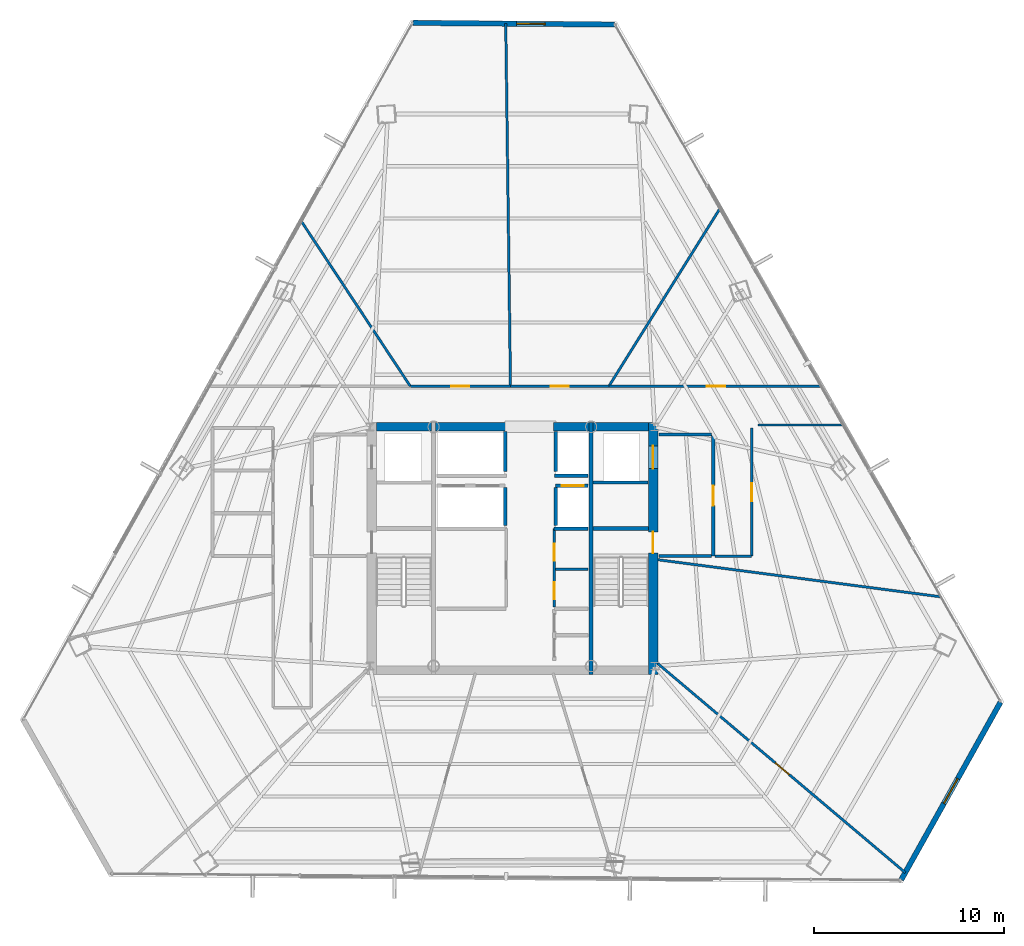
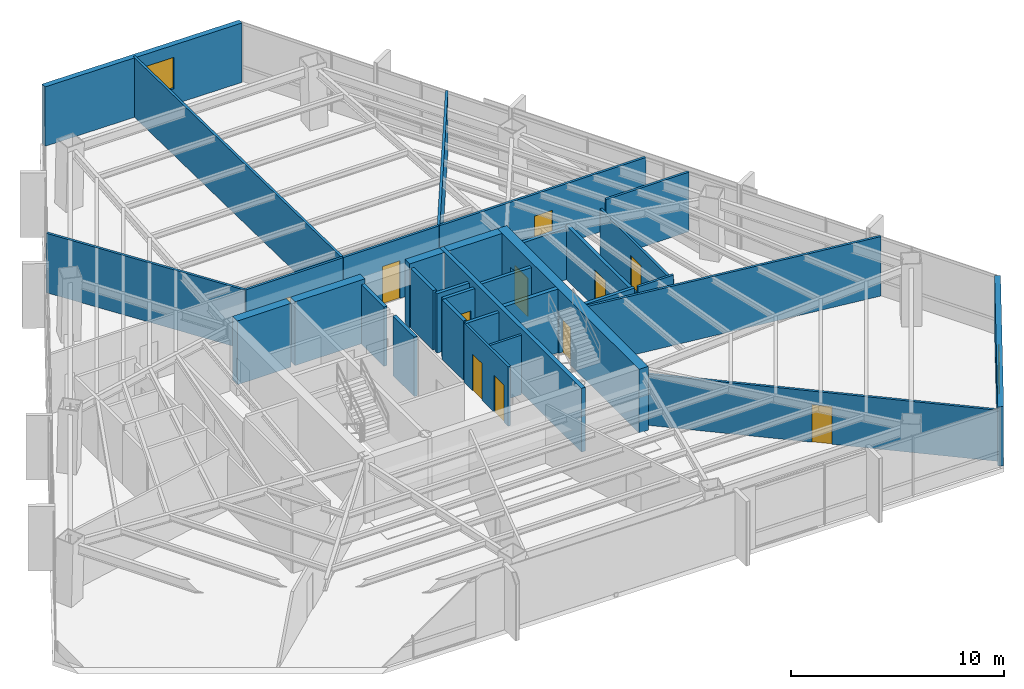
# One storey, part 35 of 39: 33 walls, 11 doors, 2 windows, 13 openings.
"""IFC4 building model written with IfcOpenShell, lengths in metres."""

import ifcopenshell
import ifcopenshell.guid

model = None  # the IFC model being written
_history = None  # IfcOwnerHistory: only IFC2X3 demands one
_inside = {}  # id of a spatial element -> (the spatial element, [elements in it])
_under = {}  # id of a project, library or spatial element -> (it, [spatial elements below it])
_declared = {}  # id of a project -> (the project, [libraries it declares])
_typed = {}  # id of a type object -> (the type object, [elements of that type])
_made_of = {}  # id of a material, layer set ... -> (it, [elements and type objects made of it])


def new_model(schema):
    """Start an empty IFC model of exactly this schema.

    Asked for "IFC4X3", IfcOpenShell would pick the latest addendum, in which some entities
    have other attributes; the version numbers below select the first issue.
    IFC2X3 requires an IfcOwnerHistory on every rooted entity: one is made here for all.
    """
    global model, _history
    if schema == "IFC4X3":
        model = ifcopenshell.file(schema_version=(4, 3, 0, 0))
    else:
        model = ifcopenshell.file(schema=schema)
    _inside.clear()
    _under.clear()
    _declared.clear()
    _typed.clear()
    _made_of.clear()
    _history = None
    if model.schema == "IFC2X3":
        org = make("IfcOrganization", Name="unknown")
        user = make(
            "IfcPersonAndOrganization",
            ThePerson=make("IfcPerson", FamilyName="unknown"),
            TheOrganization=org,
        )
        app = make(
            "IfcApplication",
            ApplicationDeveloper=org,
            Version="unknown",
            ApplicationFullName="unknown",
            ApplicationIdentifier="unknown",
        )
        _history = make(
            "IfcOwnerHistory",
            OwningUser=user,
            OwningApplication=app,
            ChangeAction="ADDED",
            CreationDate=0,
        )
    return model


def make(cls, **values):
    """One entity of the class cls with the attributes given. An attribute that is None is left unset."""
    return model.create_entity(
        cls, **{name: value for name, value in values.items() if value is not None}
    )


def rooted(cls, **values):
    """An entity with a GlobalId (a new one), such as an element, a storey or a relation."""
    return make(cls, GlobalId=ifcopenshell.guid.new(), OwnerHistory=_history, **values)


def si_unit(unit_type, name, prefix=None):
    """IfcSIUnit, for example si_unit("LENGTHUNIT", "METRE", prefix="MILLI")."""
    return make("IfcSIUnit", UnitType=unit_type, Prefix=prefix, Name=name)


def assignment(units):
    """IfcUnitAssignment: the units of a project."""
    return None if units is None else make("IfcUnitAssignment", Units=units)


def point(xyz):
    """IfcCartesianPoint."""
    return None if xyz is None else make("IfcCartesianPoint", Coordinates=xyz)


def direction(xyz):
    """IfcDirection."""
    return None if xyz is None else make("IfcDirection", DirectionRatios=xyz)


def frame(location, z_axis=None, x_axis=None):
    """IfcAxis2Placement3D, a coordinate frame: its origin and axes. An axis left out is left unset."""
    return make(
        "IfcAxis2Placement3D",
        Location=point(location),
        Axis=direction(z_axis),
        RefDirection=direction(x_axis),
    )


def frame_2d(location, x_axis=None):
    """IfcAxis2Placement2D, a coordinate frame in the plane: its origin and x axis."""
    return make(
        "IfcAxis2Placement2D", Location=point(location), RefDirection=direction(x_axis)
    )


def origin():
    """The frame at (0, 0, 0) with its axes left unset."""
    return frame((0.0, 0.0, 0.0))


def place(relative_to, where):
    """IfcLocalPlacement: puts the frame where relative to a parent placement (None: the world)."""
    return make(
        "IfcLocalPlacement", PlacementRelTo=relative_to, RelativePlacement=where
    )


def context(
    kind, dimensions, precision=None, world=None, true_north=None, identifier=None
):
    """IfcGeometricRepresentationContext, for example the 3D "Model" context."""
    return make(
        "IfcGeometricRepresentationContext",
        ContextIdentifier=identifier,
        ContextType=kind,
        CoordinateSpaceDimension=dimensions,
        Precision=precision,
        WorldCoordinateSystem=world,
        TrueNorth=true_north,
    )


def subcontext(parent, identifier, kind, view, scale=None):
    """IfcGeometricRepresentationSubContext, for example "Body" below "Model"."""
    return make(
        "IfcGeometricRepresentationSubContext",
        ContextIdentifier=identifier,
        ContextType=kind,
        ParentContext=parent,
        TargetScale=scale,
        TargetView=view,
    )


def project(units=None, contexts=None):
    """IfcProject with its units and contexts."""
    return rooted(
        "IfcProject",
        Name="project",
        RepresentationContexts=contexts,
        UnitsInContext=assignment(units),
    )


def spatial(cls, under=None, at=None, **own):
    """A site, building, storey or space (cls), placed at a placement, below another one or the project."""
    s = rooted(cls, ObjectPlacement=at, **own)
    if under is not None:
        _under.setdefault(under.id(), (under, []))[1].append(s)
    return s


def profile(cls, at=None, kind="AREA", **sizes):
    """A parametric profile (cls). Its sizes go by their IFC names, for example OverallWidth=200.0."""
    return make(cls, ProfileType=kind, Position=at, **sizes)


def rectangle(**sizes):
    """IfcRectangleProfileDef."""
    return profile("IfcRectangleProfileDef", **sizes)


def extrude(swept, where, along, depth):
    """IfcExtrudedAreaSolid: the profile swept, set in the frame where, extruded along a direction by depth."""
    return make(
        "IfcExtrudedAreaSolid",
        SweptArea=swept,
        Position=where,
        ExtrudedDirection=direction(along),
        Depth=depth,
    )


def shape(context_of_items, identifier, shape_type, items):
    """IfcShapeRepresentation: the items that make up one representation, for example the "Body"."""
    return make(
        "IfcShapeRepresentation",
        ContextOfItems=context_of_items,
        RepresentationIdentifier=identifier,
        RepresentationType=shape_type,
        Items=items,
    )


def material(Name=None, Category=None):
    """IfcMaterial."""
    return make("IfcMaterial", Name=Name, Category=Category)


def layer(
    of_material, thickness, ventilated=None, Name=None, Category=None, Priority=None
):
    """IfcMaterialLayer: one layer of a wall or slab, of a material (None: an air gap)."""
    return make(
        "IfcMaterialLayer",
        Material=of_material,
        LayerThickness=thickness,
        IsVentilated=ventilated,
        Name=Name,
        Category=Category,
        Priority=Priority,
    )


def layer_set(layers, Name=None):
    """IfcMaterialLayerSet."""
    return make("IfcMaterialLayerSet", MaterialLayers=layers, LayerSetName=Name)


def made_of(thing, what):
    """Note that an element or type object is made of a material, layer set ...; save() writes the relation."""
    if what is not None:
        _made_of.setdefault(what.id(), (what, []))[1].append(thing)
    return thing


def type_object(cls, material=None, **own):
    """A type object (cls), such as IfcWallType, which elements share."""
    return made_of(rooted(cls, **own), material)


def element(
    cls,
    number,
    at=None,
    inside=None,
    cuts=None,
    type_object=None,
    material=None,
    context=None,
    identifier="Body",
    shape_type=None,
    held_by="IfcProductDefinitionShape",
    body=None,
    shapes=None,
    **own,
):
    """One element of the class cls, such as IfcWall. Its Tag is "e" and its number.

    at: its placement. inside: the storey or other place that contains it. cuts: it is an
    opening in that element (IfcRelVoidsElement). A single representation is given by context,
    identifier, shape_type and body (its items); several are given by shapes. held_by: the class
    of the entity that holds the representations. save() writes the other relations.
    """
    e = rooted(cls, Tag="e%d" % number, ObjectPlacement=at, **own)
    if body is not None:
        shapes = [shape(context, identifier, shape_type, body)]
    if shapes is not None:
        e.Representation = make(held_by, Representations=shapes)
    if inside is not None:
        _inside.setdefault(inside.id(), (inside, []))[1].append(e)
    if cuts is not None:
        rooted(
            "IfcRelVoidsElement", RelatingBuildingElement=cuts, RelatedOpeningElement=e
        )
    if type_object is not None:
        _typed.setdefault(type_object.id(), (type_object, []))[1].append(e)
    return made_of(e, material)


def fill(opening, filler):
    """IfcRelFillsElement: the door or window that sits in an opening."""
    return rooted(
        "IfcRelFillsElement",
        RelatingOpeningElement=opening,
        RelatedBuildingElement=filler,
    )


def aggregate(whole, parts):
    """IfcRelAggregates: a whole, such as a stair, and the parts it consists of."""
    return rooted("IfcRelAggregates", RelatingObject=whole, RelatedObjects=parts)


def save(model, path):
    """Write the relations noted so far, then the file.

    IfcRelAggregates (storeys below a building ...), IfcRelContainedInSpatialStructure (elements
    in a storey), IfcRelDefinesByType, IfcRelAssociatesMaterial and IfcRelDeclares: one each for
    every whole, place, type object, material and project.
    """
    for whole, parts in _under.values():
        aggregate(whole, parts)
    for where, things in _inside.values():
        rooted(
            "IfcRelContainedInSpatialStructure",
            RelatedElements=things,
            RelatingStructure=where,
        )
    for kind, things in _typed.values():
        rooted("IfcRelDefinesByType", RelatedObjects=things, RelatingType=kind)
    for what, things in _made_of.values():
        rooted("IfcRelAssociatesMaterial", RelatedObjects=things, RelatingMaterial=what)
    for by, libraries in _declared.values():
        rooted("IfcRelDeclares", RelatingContext=by, RelatedDefinitions=libraries)
    model.write(path)


model = new_model("IFC4")

# Units and contexts
model_context = context("Model", 3, precision=1e-05, world=origin(), true_north=direction((0.0, 1.0)))
body_context = subcontext(model_context, "Body", "Model", "MODEL_VIEW")
ifc_project = project(units=[si_unit("LENGTHUNIT", "METRE"), si_unit("AREAUNIT", "SQUARE_METRE"), si_unit("VOLUMEUNIT", "CUBIC_METRE"), si_unit("PLANEANGLEUNIT", "RADIAN"), si_unit("MASSUNIT", "GRAM", prefix="KILO")], contexts=[model_context])

# Site, building, storey
site_placement = place(None, origin())
site = spatial("IfcSite", under=ifc_project, at=site_placement, CompositionType="ELEMENT")
building_placement = place(site_placement, origin())
building = spatial("IfcBuilding", under=site, at=building_placement, Name="Caelisora Broadcast Tower", CompositionType="ELEMENT")
storey_placement = place(building_placement, frame((0.0, 0.0, 139.10009765625)))
storey = spatial("IfcBuildingStorey", under=building, at=storey_placement, Name="L36", CompositionType="ELEMENT", Elevation=139.10009765625)

# Wall, openings, doors
ifc_material_1 = material(Name="Concrete 50 MPa (AS 3600 S50)", Category="concrete")
ifc_layer_1 = layer(ifc_material_1, 0.5, Name="Concrete 50 MPa (AS 3600 S50)")
ifc_layer_set_1 = layer_set([ifc_layer_1], Name="Concrete 50 MPa (AS 3600 S50)")
wall_type_1 = type_object("IfcWallType", Name="CW2", PredefinedType="SHEAR", material=ifc_layer_set_1)
wall_1_placement = place(storey_placement, frame((45.409912109375, 16.949951171875, 0.0), z_axis=(0.0, 0.0, 1.0), x_axis=(0.0, 1.0, 0.0)))
wall_1 = element("IfcWall", 1, at=wall_1_placement, inside=storey, type_object=wall_type_1, Name="L36 core shear wall CW2", PredefinedType="SHEAR", context=body_context, shape_type="SweptSolid", body=[
    extrude(rectangle(XDim=13.275146484375, YDim=0.5, at=frame_2d((6.6376953125, 0.0))), origin(), (0.0, 0.0, 1.0), 3.64990234375),
])
opening_1_placement = place(wall_1_placement, frame((6.39990234375, 0.0, 0.0)))
opening_1 = element("IfcOpeningElement", 2, at=opening_1_placement, cuts=wall_1, Name="Opening FD04", PredefinedType="OPENING", context=body_context, shape_type="SweptSolid", body=[
    extrude(rectangle(XDim=1.1201171875, YDim=2.14990234375, at=frame_2d((0.56005859375, 1.074951171875))), frame((0.0, 0.261962890625, 0.0), z_axis=(0.0, -1.0, 0.0), x_axis=(1.0, 0.0, 0.0)), (0.0, 0.0, 1.0), 0.52392578125),
])
opening_2_placement = place(wall_1_placement, frame((10.85009765625, 0.0, 0.0)))
opening_2 = element("IfcOpeningElement", 3, at=opening_2_placement, cuts=wall_1, Name="Opening LD04", PredefinedType="OPENING", context=body_context, shape_type="SweptSolid", body=[
    extrude(rectangle(XDim=1.199951171875, YDim=2.199951171875, at=frame_2d((0.60009765625, 1.10009765625))), frame((0.0, 0.261962890625, 0.0), z_axis=(0.0, -1.0, 0.0), x_axis=(1.0, 0.0, 0.0)), (0.0, 0.0, 1.0), 0.52392578125),
])
ifc_material_2 = material(Name="Pressurised Fire-Isolated Stair Door", Category="steel")
door_type_1 = type_object("IfcDoorType", Name="FD04", OperationType="NOTDEFINED", PredefinedType="DOOR", material=ifc_material_2)
door_1_placement = place(opening_1_placement, origin())
door_1 = element("IfcDoor", 4, at=door_1_placement, inside=storey, type_object=door_type_1, Name="L36 door FD04 (L36-DR-ST2)", OperationType="SINGLE_SWING_RIGHT", OverallHeight=2.14990234375, OverallWidth=1.1201171875, PredefinedType="DOOR", context=body_context, shape_type="SweptSolid", body=[
    extrude(rectangle(XDim=1.1201171875, YDim=2.14990234375, at=frame_2d((0.56005859375, 1.074951171875))), frame((0.0, 0.02490234375, 0.0), z_axis=(0.0, -1.0, 0.0), x_axis=(1.0, 0.0, 0.0)), (0.0, 0.0, 1.0), 0.050048828125),
])
fill(opening_1, door_1)
ifc_material_3 = material(Name="Emergency Firefighting Lift Sliding Landing Door", Category="steel")
door_type_2 = type_object("IfcDoorType", Name="LD04", OperationType="NOTDEFINED", PredefinedType="DOOR", material=ifc_material_3)
door_2_placement = place(opening_2_placement, origin())
door_2 = element("IfcDoor", 5, at=door_2_placement, inside=storey, type_object=door_type_2, Name="L36 door LD04 (L36-LD-FFL2)", OperationType="SLIDING_TO_RIGHT", OverallHeight=2.199951171875, OverallWidth=1.199951171875, PredefinedType="DOOR", context=body_context, shape_type="SweptSolid", body=[
    extrude(rectangle(XDim=1.199951171875, YDim=2.199951171875, at=frame_2d((0.60009765625, 1.10009765625))), frame((0.0, 0.02490234375, 0.0), z_axis=(0.0, -1.0, 0.0), x_axis=(1.0, 0.0, 0.0)), (0.0, 0.0, 1.0), 0.050048828125),
])
fill(opening_2, door_2)

# Walls
ifc_layer_2 = layer(ifc_material_1, 0.449951171875, Name="Concrete 50 MPa (AS 3600 S50)")
ifc_layer_set_2 = layer_set([ifc_layer_2], Name="Concrete 50 MPa (AS 3600 S50)")
wall_type_2 = type_object("IfcWallType", Name="CW5", PredefinedType="SHEAR", material=ifc_layer_set_2)
wall_2_placement = place(storey_placement, frame((30.840087890625, 30.0, 0.0), z_axis=(0.0, 0.0, 1.0), x_axis=(1.0, 0.0, 0.0)))
element("IfcWall", 6, at=wall_2_placement, inside=storey, type_object=wall_type_2, Name="L36 core shear wall CW5", PredefinedType="SHEAR", context=body_context, shape_type="SweptSolid", body=[
    extrude(rectangle(XDim=2.89990234375, YDim=0.449951171875, at=frame_2d((1.449951171875, 0.0))), origin(), (0.0, 0.0, 1.0), 3.64990234375),
])
wall_3_placement = place(storey_placement, frame((33.9599609375, 30.0, 0.0), z_axis=(0.0, 0.0, 1.0), x_axis=(1.0, 0.0, 0.0)))
element("IfcWall", 7, at=wall_3_placement, inside=storey, type_object=wall_type_2, Name="L36 core shear wall CW5", PredefinedType="SHEAR", context=body_context, shape_type="SweptSolid", body=[
    extrude(rectangle(XDim=3.780029296875, YDim=0.449951171875, at=frame_2d((1.89013671875, 0.0))), origin(), (0.0, 0.0, 1.0), 3.64990234375),
])
wall_4_placement = place(storey_placement, frame((40.159912109375, 30.0, 0.0), z_axis=(0.0, 0.0, 1.0), x_axis=(1.0, 0.0, 0.0)))
element("IfcWall", 8, at=wall_4_placement, inside=storey, type_object=wall_type_2, Name="L36 core shear wall CW5", PredefinedType="SHEAR", context=body_context, shape_type="SweptSolid", body=[
    extrude(rectangle(XDim=1.880126953125, YDim=0.449951171875, at=frame_2d((0.93994140625, 0.0))), origin(), (0.0, 0.0, 1.0), 3.64990234375),
])
wall_5_placement = place(storey_placement, frame((42.260009765625, 30.0, 0.0), z_axis=(0.0, 0.0, 1.0), x_axis=(1.0, 0.0, 0.0)))
element("IfcWall", 9, at=wall_5_placement, inside=storey, type_object=wall_type_2, Name="L36 core shear wall CW5", PredefinedType="SHEAR", context=body_context, shape_type="SweptSolid", body=[
    extrude(rectangle(XDim=2.89990234375, YDim=0.449951171875, at=frame_2d((1.449951171875, 0.0))), origin(), (0.0, 0.0, 1.0), 3.64990234375),
])
ifc_layer_3 = layer(ifc_material_1, 0.219970703125, Name="Concrete 50 MPa (AS 3600 S50)")
ifc_layer_set_3 = layer_set([ifc_layer_3], Name="Concrete 50 MPa (AS 3600 S50)")
wall_type_3 = type_object("IfcWallType", Name="CW7", PredefinedType="SHEAR", material=ifc_layer_set_3)
wall_6_placement = place(storey_placement, frame((42.14990234375, 16.949951171875, 0.0), z_axis=(0.0, 0.0, 1.0), x_axis=(0.0, 1.0, 0.0)))
element("IfcWall", 10, at=wall_6_placement, inside=storey, type_object=wall_type_3, Name="L36 core shear wall CW7", PredefinedType="SHEAR", context=body_context, shape_type="SweptSolid", body=[
    extrude(rectangle(XDim=13.275146484375, YDim=0.219970703125, at=frame_2d((6.6376953125, 0.0))), origin(), (0.0, 0.0, 1.0), 3.64990234375),
])
wall_7_placement = place(storey_placement, frame((42.260009765625, 24.639892578125, 0.0), z_axis=(0.0, 0.0, 1.0), x_axis=(1.0, 0.0, 0.0)))
element("IfcWall", 11, at=wall_7_placement, inside=storey, type_object=wall_type_3, Name="L36 core shear wall CW7", PredefinedType="SHEAR", context=body_context, shape_type="SweptSolid", body=[
    extrude(rectangle(XDim=2.89990234375, YDim=0.219970703125, at=frame_2d((1.449951171875, 0.0))), origin(), (0.0, 0.0, 1.0), 3.64990234375),
])

# Wall, opening, window
ifc_material_4 = material(Name="Insulated Terracotta Spandrel Wall System", Category="masonry")
ifc_layer_4 = layer(ifc_material_4, 0.280029296875, Name="Insulated Terracotta Spandrel Wall System")
ifc_layer_set_4 = layer_set([ifc_layer_4], Name="Insulated Terracotta Spandrel Wall System")
wall_type_4 = type_object("IfcWallType", Name="EW1", PredefinedType="STANDARD", material=ifc_layer_set_4)
wall_8_placement = place(storey_placement, frame((63.71533203125, 15.492919921875, 0.0), z_axis=(0.0, 0.0, 1.0), x_axis=(-0.487869868268, -0.872916371502, 0.0)))
wall_8 = element("IfcWall", 12, at=wall_8_placement, inside=storey, type_object=wall_type_4, Name="L36 exterior envelope wall EW1", PredefinedType="STANDARD", context=body_context, shape_type="SweptSolid", body=[
    extrude(rectangle(XDim=10.715576171875, YDim=0.280029296875, at=frame_2d((5.35791015625, 0.0))), origin(), (0.0, 0.0, 1.0), 3.39990234375),
])
opening_3_placement = place(wall_8_placement, frame((4.610107421875, 0.0, 0.89990234375)))
opening_3 = element("IfcOpeningElement", 13, at=opening_3_placement, cuts=wall_8, Name="Opening W02", PredefinedType="OPENING", context=body_context, shape_type="SweptSolid", body=[
    extrude(rectangle(XDim=1.5, YDim=1.800048828125, at=frame_2d((0.75, 0.89990234375))), frame((0.0, 0.152099609375, 0.0), z_axis=(0.0, -1.0, 0.0), x_axis=(1.0, 0.0, 0.0)), (0.0, 0.0, 1.0), 0.303955078125),
])
ifc_material_5 = material(Name="Double Glazed Terracotta-Framed Vision Window", Category="glass")
window_type = type_object("IfcWindowType", Name="W02", PartitioningType="SINGLE_PANEL", PredefinedType="WINDOW", material=ifc_material_5)
window_1_placement = place(opening_3_placement, origin())
window_1 = element("IfcWindow", 14, at=window_1_placement, inside=storey, type_object=window_type, Name="L36 window W02 (L36-WN-CH0)", OverallHeight=1.800048828125, OverallWidth=1.5, PartitioningType="SINGLE_PANEL", PredefinedType="WINDOW", context=body_context, shape_type="SweptSolid", body=[
    extrude(rectangle(XDim=1.5, YDim=1.800048828125, at=frame_2d((0.75, 0.89990234375))), frame((0.0, 0.030029296875, 0.0), z_axis=(0.0, -1.0, 0.0), x_axis=(1.0, 0.0, 0.0)), (0.0, 0.0, 1.0), 0.06005859375),
])
fill(opening_3, window_1)

wall_9_placement = place(storey_placement, frame((32.777099609375, 51.286865234375, 0.0), z_axis=(0.0, 0.0, 1.0), x_axis=(0.999966567771, -0.008177000704, 0.0)))
wall_9 = element("IfcWall", 15, at=wall_9_placement, inside=storey, type_object=wall_type_4, Name="L36 exterior envelope wall EW1", PredefinedType="STANDARD", context=body_context, shape_type="SweptSolid", body=[
    extrude(rectangle(XDim=10.59912109375, YDim=0.280029296875, at=frame_2d((5.299560546875, 0.0))), origin(), (0.0, 0.0, 1.0), 3.39990234375),
])
opening_4_placement = place(wall_9_placement, frame((5.449951171875, 0.0, 0.89990234375)))
opening_4 = element("IfcOpeningElement", 16, at=opening_4_placement, cuts=wall_9, Name="Opening W02", PredefinedType="OPENING", context=body_context, shape_type="SweptSolid", body=[
    extrude(rectangle(XDim=1.5, YDim=1.800048828125, at=frame_2d((0.75, 0.89990234375))), frame((0.0, 0.152099609375, 0.0), z_axis=(0.0, -1.0, 0.0), x_axis=(1.0, 0.0, 0.0)), (0.0, 0.0, 1.0), 0.303955078125),
])
window_2_placement = place(opening_4_placement, origin())
window_2 = element("IfcWindow", 17, at=window_2_placement, inside=storey, type_object=window_type, Name="L36 window W02 (L36-WN-CH8)", OverallHeight=1.800048828125, OverallWidth=1.5, PartitioningType="SINGLE_PANEL", PredefinedType="WINDOW", context=body_context, shape_type="SweptSolid", body=[
    extrude(rectangle(XDim=1.5, YDim=1.800048828125, at=frame_2d((0.75, 0.89990234375))), frame((0.0, 0.030029296875, 0.0), z_axis=(0.0, -1.0, 0.0), x_axis=(1.0, 0.0, 0.0)), (0.0, 0.0, 1.0), 0.06005859375),
])
fill(opening_4, window_2)

# Wall, opening, door
ifc_material_6 = material(Name="Fire-Rated Gypsum Shaft and Compartment Wall", Category="gypsum")
ifc_layer_5 = layer(ifc_material_6, 0.179931640625, Name="Fire-Rated Gypsum Shaft and Compartment Wall")
ifc_layer_set_5 = layer_set([ifc_layer_5], Name="Fire-Rated Gypsum Shaft and Compartment Wall")
wall_type_5 = type_object("IfcWallType", Name="PW2", PredefinedType="PARTITIONING", material=ifc_layer_set_5)
wall_10_placement = place(storey_placement, frame((40.280029296875, 26.89990234375, 0.0), z_axis=(0.0, 0.0, 1.0), x_axis=(1.0, 0.0, 0.0)))
wall_10 = element("IfcWall", 18, at=wall_10_placement, inside=storey, type_object=wall_type_5, Name="L36 fire compartment wall PW2", PredefinedType="PARTITIONING", context=body_context, shape_type="SweptSolid", body=[
    extrude(rectangle(XDim=1.699951171875, YDim=0.179931640625, at=frame_2d((0.85009765625, 0.0))), origin(), (0.0, 0.0, 1.0), 3.39990234375),
])
opening_5_placement = place(wall_10_placement, frame((0.320068359375, 0.0, 0.0)))
opening_5 = element("IfcOpeningElement", 19, at=opening_5_placement, cuts=wall_10, Name="Opening LD02", PredefinedType="OPENING", context=body_context, shape_type="SweptSolid", body=[
    extrude(rectangle(XDim=1.14990234375, YDim=2.199951171875, at=frame_2d((0.574951171875, 1.10009765625))), frame((0.0, 0.10205078125, 0.0), z_axis=(0.0, -1.0, 0.0), x_axis=(1.0, 0.0, 0.0)), (0.0, 0.0, 1.0), 0.203857421875),
])
ifc_material_7 = material(Name="High-Speed Express Lift Sliding Landing Door", Category="steel")
door_type_3 = type_object("IfcDoorType", Name="LD02", OperationType="NOTDEFINED", PredefinedType="DOOR", material=ifc_material_7)
door_3_placement = place(opening_5_placement, origin())
door_3 = element("IfcDoor", 20, at=door_3_placement, inside=storey, type_object=door_type_3, Name="L36 door LD02 (L36-LD-PLM3)", OperationType="SLIDING_TO_LEFT", OverallHeight=2.199951171875, OverallWidth=1.14990234375, PredefinedType="DOOR", context=body_context, shape_type="SweptSolid", body=[
    extrude(rectangle(XDim=1.14990234375, YDim=2.199951171875, at=frame_2d((0.574951171875, 1.10009765625))), frame((0.0, 0.02490234375, 0.0), z_axis=(0.0, -1.0, 0.0), x_axis=(1.0, 0.0, 0.0)), (0.0, 0.0, 1.0), 0.050048828125),
])
fill(opening_5, door_3)

# Walls
for number, where, z_axis, x_axis, name in (
    (21, (37.6201171875, 24.800048828125, 0.0), (0.0, 0.0, 1.0), (0.0, 1.0, 0.0), "L36 fire compartment wall PW2"),
    (22, (40.280029296875, 24.800048828125, 0.0), (0.0, 0.0, 1.0), (0.0, 1.0, 0.0), "L36 fire compartment wall PW2"),
):
    element("IfcWall", number, at=place(storey_placement, frame(where, z_axis=z_axis, x_axis=x_axis)), inside=storey, type_object=wall_type_5, Name=name, PredefinedType="PARTITIONING", context=body_context, shape_type="SweptSolid", body=[
        extrude(rectangle(XDim=2.0, YDim=0.179931640625, at=frame_2d((1.0, 0.0))), origin(), (0.0, 0.0, 1.0), 3.39990234375),
    ])
wall_11_placement = place(storey_placement, frame((40.199951171875, 24.639892578125, 0.0), z_axis=(0.0, 0.0, 1.0), x_axis=(1.0, 0.0, 0.0)))
element("IfcWall", 23, at=wall_11_placement, inside=storey, type_object=wall_type_5, Name="L36 fire compartment wall PW2", PredefinedType="PARTITIONING", context=body_context, shape_type="SweptSolid", body=[
    extrude(rectangle(XDim=1.780029296875, YDim=0.179931640625, at=frame_2d((0.89013671875, 0.0))), origin(), (0.0, 0.0, 1.0), 3.39990234375),
])
wall_12_placement = place(storey_placement, frame((40.219970703125, 27.419921875, 0.0), z_axis=(0.0, 0.0, 1.0), x_axis=(1.0, 0.0, 0.0)))
element("IfcWall", 24, at=wall_12_placement, inside=storey, type_object=wall_type_5, Name="L36 fire compartment wall PW2", PredefinedType="PARTITIONING", context=body_context, shape_type="SweptSolid", body=[
    extrude(rectangle(XDim=1.760009765625, YDim=0.179931640625, at=frame_2d((0.8798828125, 0.0))), origin(), (0.0, 0.0, 1.0), 3.39990234375),
])
for number, where, z_axis, x_axis, name in (
    (25, (37.6201171875, 27.639892578125, 0.0), (0.0, 0.0, 1.0), (0.0, 1.0, 0.0), "L36 fire compartment wall PW2"),
    (26, (40.280029296875, 27.639892578125, 0.0), (0.0, 0.0, 1.0), (0.0, 1.0, 0.0), "L36 fire compartment wall PW2"),
):
    element("IfcWall", number, at=place(storey_placement, frame(where, z_axis=z_axis, x_axis=x_axis)), inside=storey, type_object=wall_type_5, Name=name, PredefinedType="PARTITIONING", context=body_context, shape_type="SweptSolid", body=[
        extrude(rectangle(XDim=2.110107421875, YDim=0.179931640625, at=frame_2d((1.05517578125, 0.0))), origin(), (0.0, 0.0, 1.0), 3.39990234375),
    ])

# Wall, opening, door
wall_13_placement = place(storey_placement, frame((48.580078125, 23.199951171875, 0.0), z_axis=(0.0, 0.0, 1.0), x_axis=(0.0, 1.0, 0.0)))
wall_13 = element("IfcWall", 27, at=wall_13_placement, inside=storey, type_object=wall_type_5, Name="L36 fire compartment wall PW2", PredefinedType="PARTITIONING", context=body_context, shape_type="SweptSolid", body=[
    extrude(rectangle(XDim=6.400146484375, YDim=0.179931640625, at=frame_2d((3.2001953125, 0.0))), origin(), (0.0, 0.0, 1.0), 3.07763671875),
])
opening_6_placement = place(wall_13_placement, frame((2.64990234375, 0.0, 0.0)))
opening_6 = element("IfcOpeningElement", 28, at=opening_6_placement, cuts=wall_13, Name="Opening FD02", PredefinedType="OPENING", context=body_context, shape_type="SweptSolid", body=[
    extrude(rectangle(XDim=1.050048828125, YDim=2.14990234375, at=frame_2d((0.52490234375, 1.074951171875))), frame((0.0, 0.10205078125, 0.0), z_axis=(0.0, -1.0, 0.0), x_axis=(1.0, 0.0, 0.0)), (0.0, 0.0, 1.0), 0.203857421875),
])
ifc_material_8 = material(Name="Single-Leaf Steel Fire Lobby Door", Category="steel")
door_type_4 = type_object("IfcDoorType", Name="FD02", OperationType="NOTDEFINED", PredefinedType="DOOR", material=ifc_material_8)
door_4_placement = place(opening_6_placement, origin())
door_4 = element("IfcDoor", 29, at=door_4_placement, inside=storey, type_object=door_type_4, Name="L36 door FD02 (L36-DR-P04D1)", OperationType="SINGLE_SWING_RIGHT", OverallHeight=2.14990234375, OverallWidth=1.050048828125, PredefinedType="DOOR", context=body_context, shape_type="SweptSolid", body=[
    extrude(rectangle(XDim=1.050048828125, YDim=2.14990234375, at=frame_2d((0.52490234375, 1.074951171875))), frame((0.0, 0.02490234375, 0.0), z_axis=(0.0, -1.0, 0.0), x_axis=(1.0, 0.0, 0.0)), (0.0, 0.0, 1.0), 0.050048828125),
])
fill(opening_6, door_4)

# Walls
wall_14_placement = place(storey_placement, frame((45.719970703125, 23.199951171875, 0.0), z_axis=(0.0, 0.0, 1.0), x_axis=(1.0, 0.0, 0.0)))
element("IfcWall", 30, at=wall_14_placement, inside=storey, type_object=wall_type_5, Name="L36 fire compartment wall PW2", PredefinedType="PARTITIONING", context=body_context, shape_type="SweptSolid", body=[
    extrude(rectangle(XDim=2.760009765625, YDim=0.179931640625, at=frame_2d((1.3798828125, 0.0))), origin(), (0.0, 0.0, 1.0), 3.39990234375),
])
wall_15_placement = place(storey_placement, frame((45.719970703125, 29.60009765625, 0.0), z_axis=(0.0, 0.0, 1.0), x_axis=(1.0, 0.0, 0.0)))
element("IfcWall", 31, at=wall_15_placement, inside=storey, type_object=wall_type_5, Name="L36 fire compartment wall PW2", PredefinedType="PARTITIONING", context=body_context, shape_type="SweptSolid", body=[
    extrude(rectangle(XDim=2.760009765625, YDim=0.179931640625, at=frame_2d((1.3798828125, 0.0))), origin(), (0.0, 0.0, 1.0), 2.924560546875),
])
wall_16_placement = place(storey_placement, frame((42.239990234375, 27.070068359375, 0.0), z_axis=(0.0, 0.0, 1.0), x_axis=(1.0, 0.0, 0.0)))
element("IfcWall", 32, at=wall_16_placement, inside=storey, type_object=wall_type_5, Name="L36 fire compartment wall PW2", PredefinedType="PARTITIONING", context=body_context, shape_type="SweptSolid", body=[
    extrude(rectangle(XDim=2.89990234375, YDim=0.179931640625, at=frame_2d((1.449951171875, 0.0))), origin(), (0.0, 0.0, 1.0), 3.39990234375),
])
ifc_material_9 = material(Name="Acoustic Steel-Stud Plasterboard Partition", Category="gypsum")
ifc_layer_6 = layer(ifc_material_9, 0.1298828125, Name="Acoustic Steel-Stud Plasterboard Partition")
ifc_layer_set_6 = layer_set([ifc_layer_6], Name="Acoustic Steel-Stud Plasterboard Partition")
wall_type_6 = type_object("IfcWallType", Name="PW3", PredefinedType="PARTITIONING", material=ifc_layer_set_6)
wall_17_placement = place(storey_placement, frame((40.280029296875, 22.5, 0.0), z_axis=(0.0, 0.0, 1.0), x_axis=(1.0, 0.0, 0.0)))
element("IfcWall", 33, at=wall_17_placement, inside=storey, type_object=wall_type_6, Name="L36 internal partition PW3", PredefinedType="PARTITIONING", context=body_context, shape_type="SweptSolid", body=[
    extrude(rectangle(XDim=1.699951171875, YDim=0.1298828125, at=frame_2d((0.85009765625, 0.0))), origin(), (0.0, 0.0, 1.0), 3.39990234375),
])

# Wall, openings, doors
wall_18_placement = place(storey_placement, frame((40.199951171875, 20.5, 0.0), z_axis=(0.0, 0.0, 1.0), x_axis=(0.0, 1.0, 0.0)))
wall_18 = element("IfcWall", 34, at=wall_18_placement, inside=storey, type_object=wall_type_6, Name="L36 internal partition PW3", PredefinedType="PARTITIONING", context=body_context, shape_type="SweptSolid", body=[
    extrude(rectangle(XDim=4.139892578125, YDim=0.1298828125, at=frame_2d((2.06982421875, 0.0))), origin(), (0.0, 0.0, 1.0), 3.39990234375),
])
opening_7_placement = place(wall_18_placement, frame((0.419921875, 0.0, 0.0)))
opening_7 = element("IfcOpeningElement", 35, at=opening_7_placement, cuts=wall_18, Name="Opening FD03", PredefinedType="OPENING", context=body_context, shape_type="SweptSolid", body=[
    extrude(rectangle(XDim=0.89990234375, YDim=2.10009765625, at=frame_2d((0.449951171875, 1.050048828125))), frame((0.0, 0.076904296875, 0.0), z_axis=(0.0, -1.0, 0.0), x_axis=(1.0, 0.0, 0.0)), (0.0, 0.0, 1.0), 0.15380859375),
])
opening_8_placement = place(wall_18_placement, frame((2.449951171875, 0.0, 0.0)))
opening_8 = element("IfcOpeningElement", 36, at=opening_8_placement, cuts=wall_18, Name="Opening FD03", PredefinedType="OPENING", context=body_context, shape_type="SweptSolid", body=[
    extrude(rectangle(XDim=0.89990234375, YDim=2.10009765625, at=frame_2d((0.449951171875, 1.050048828125))), frame((0.0, 0.076904296875, 0.0), z_axis=(0.0, -1.0, 0.0), x_axis=(1.0, 0.0, 0.0)), (0.0, 0.0, 1.0), 0.15380859375),
])
ifc_material_10 = material(Name="Single-Leaf Steel Riser Fire Access Door", Category="steel")
door_type_5 = type_object("IfcDoorType", Name="FD03", OperationType="NOTDEFINED", PredefinedType="DOOR", material=ifc_material_10)
door_5_placement = place(opening_7_placement, origin())
door_5 = element("IfcDoor", 37, at=door_5_placement, inside=storey, type_object=door_type_5, Name="L36 door FD03 (L36-DR-P13D1)", OperationType="SINGLE_SWING_RIGHT", OverallHeight=2.10009765625, OverallWidth=0.89990234375, PredefinedType="DOOR", context=body_context, shape_type="SweptSolid", body=[
    extrude(rectangle(XDim=0.89990234375, YDim=2.10009765625, at=frame_2d((0.449951171875, 1.050048828125))), frame((0.0, 0.02490234375, 0.0), z_axis=(0.0, -1.0, 0.0), x_axis=(1.0, 0.0, 0.0)), (0.0, 0.0, 1.0), 0.050048828125),
])
fill(opening_7, door_5)
door_6_placement = place(opening_8_placement, origin())
door_6 = element("IfcDoor", 38, at=door_6_placement, inside=storey, type_object=door_type_5, Name="L36 door FD03 (L36-DR-P13D2)", OperationType="SINGLE_SWING_LEFT", OverallHeight=2.10009765625, OverallWidth=0.89990234375, PredefinedType="DOOR", context=body_context, shape_type="SweptSolid", body=[
    extrude(rectangle(XDim=0.89990234375, YDim=2.10009765625, at=frame_2d((0.449951171875, 1.050048828125))), frame((0.0, 0.02490234375, 0.0), z_axis=(0.0, -1.0, 0.0), x_axis=(1.0, 0.0, 0.0)), (0.0, 0.0, 1.0), 0.050048828125),
])
fill(opening_8, door_6)

# Wall
wall_19_placement = place(storey_placement, frame((37.6513671875, 51.251953125, 0.0), z_axis=(0.0, 0.0, 1.0), x_axis=(0.013013305879, -0.99991532335, 0.0)))
element("IfcWall", 39, at=wall_19_placement, inside=storey, type_object=wall_type_6, Name="L36 internal partition PW3", PredefinedType="PARTITIONING", context=body_context, shape_type="SweptSolid", body=[
    extrude(rectangle(XDim=19.0986328125, YDim=0.1298828125, at=frame_2d((9.54931640625, 0.0))), origin(), (0.0, 0.0, 1.0), 3.39990234375),
])

# Wall, opening, door
wall_20_placement = place(storey_placement, frame((45.656982421875, 17.531982421875, 0.0), z_axis=(0.0, 0.0, 1.0), x_axis=(0.764017699992, -0.645195283692, 0.0)))
wall_20 = element("IfcWall", 40, at=wall_20_placement, inside=storey, type_object=wall_type_6, Name="L36 internal partition PW3", PredefinedType="PARTITIONING", context=body_context, shape_type="SweptSolid", body=[
    extrude(rectangle(XDim=17.076416015625, YDim=0.1298828125, at=frame_2d((8.5380859375, 0.0))), origin(), (0.0, 0.0, 1.0), 2.924560546875),
])
opening_9_placement = place(wall_20_placement, frame((8.10791015625, 0.0, 0.0)))
opening_9 = element("IfcOpeningElement", 41, at=opening_9_placement, cuts=wall_20, Name="Opening D01", PredefinedType="OPENING", context=body_context, shape_type="SweptSolid", body=[
    extrude(rectangle(XDim=0.9599609375, YDim=2.14990234375, at=frame_2d((0.47998046875, 1.074951171875))), frame((0.0, 0.076904296875, 0.0), z_axis=(0.0, -1.0, 0.0), x_axis=(1.0, 0.0, 0.0)), (0.0, 0.0, 1.0), 0.15380859375),
])
ifc_material_11 = material(Name="Solid-Core Timber Acoustic Office Door", Category="wood")
door_type_6 = type_object("IfcDoorType", Name="D01", OperationType="NOTDEFINED", PredefinedType="DOOR", material=ifc_material_11)
door_7_placement = place(opening_9_placement, origin())
door_7 = element("IfcDoor", 42, at=door_7_placement, inside=storey, type_object=door_type_6, Name="L36 door D01 (L36-DR-P28D1)", OperationType="SINGLE_SWING_LEFT", OverallHeight=2.14990234375, OverallWidth=0.9599609375, PredefinedType="DOOR", context=body_context, shape_type="SweptSolid", body=[
    extrude(rectangle(XDim=0.9599609375, YDim=2.14990234375, at=frame_2d((0.47998046875, 1.074951171875))), frame((0.0, 0.02490234375, 0.0), z_axis=(0.0, -1.0, 0.0), x_axis=(1.0, 0.0, 0.0)), (0.0, 0.0, 1.0), 0.050048828125),
])
fill(opening_9, door_7)

# Wall
wall_21_placement = place(storey_placement, frame((45.674072265625, 23.0, 0.0), z_axis=(0.0, 0.0, 1.0), x_axis=(0.991524482245, -0.129919979633, 0.0)))
element("IfcWall", 43, at=wall_21_placement, inside=storey, type_object=wall_type_6, Name="L36 internal partition PW3", PredefinedType="PARTITIONING", context=body_context, shape_type="SweptSolid", body=[
    extrude(rectangle(XDim=15.040771484375, YDim=0.1298828125, at=frame_2d((7.5205078125, 0.0))), origin(), (0.0, 0.0, 1.0), 3.39990234375),
])

# Wall, opening, door
wall_22_placement = place(storey_placement, frame((43.094970703125, 32.14990234375, 0.0), z_axis=(0.0, 0.0, 1.0), x_axis=(1.0, 0.0, 0.0)))
wall_22 = element("IfcWall", 44, at=wall_22_placement, inside=storey, type_object=wall_type_6, Name="L36 internal partition PW3", PredefinedType="PARTITIONING", context=body_context, shape_type="SweptSolid", body=[
    extrude(rectangle(XDim=11.167724609375, YDim=0.1298828125, at=frame_2d((5.583984375, 0.0))), origin(), (0.0, 0.0, 1.0), 3.39990234375),
])
opening_10_placement = place(wall_22_placement, frame((5.156982421875, 0.0, 0.0)))
opening_10 = element("IfcOpeningElement", 45, at=opening_10_placement, cuts=wall_22, Name="Opening D01", PredefinedType="OPENING", context=body_context, shape_type="SweptSolid", body=[
    extrude(rectangle(XDim=0.9599609375, YDim=2.14990234375, at=frame_2d((0.47998046875, 1.074951171875))), frame((0.0, 0.076904296875, 0.0), z_axis=(0.0, -1.0, 0.0), x_axis=(1.0, 0.0, 0.0)), (0.0, 0.0, 1.0), 0.15380859375),
])
door_8_placement = place(opening_10_placement, origin())
door_8 = element("IfcDoor", 46, at=door_8_placement, inside=storey, type_object=door_type_6, Name="L36 door D01 (L36-DR-P33D1)", OperationType="SINGLE_SWING_LEFT", OverallHeight=2.14990234375, OverallWidth=0.9599609375, PredefinedType="DOOR", context=body_context, shape_type="SweptSolid", body=[
    extrude(rectangle(XDim=0.9599609375, YDim=2.14990234375, at=frame_2d((0.47998046875, 1.074951171875))), frame((0.0, 0.02490234375, 0.0), z_axis=(0.0, -1.0, 0.0), x_axis=(1.0, 0.0, 0.0)), (0.0, 0.0, 1.0), 0.050048828125),
])
fill(opening_10, door_8)

# Walls
wall_23_placement = place(storey_placement, frame((43.093017578125, 32.154052734375, 0.0), z_axis=(0.0, 0.0, 1.0), x_axis=(0.529975052012, 0.848013233532, 0.0)))
element("IfcWall", 47, at=wall_23_placement, inside=storey, type_object=wall_type_6, Name="L36 internal partition PW3", PredefinedType="PARTITIONING", context=body_context, shape_type="SweptSolid", body=[
    extrude(rectangle(XDim=11.024169921875, YDim=0.1298828125, at=frame_2d((5.51220703125, 0.0))), origin(), (0.0, 0.0, 1.0), 3.39990234375),
])
wall_24_placement = place(storey_placement, frame((26.890869140625, 40.818115234375, 0.0), z_axis=(0.0, 0.0, 1.0), x_axis=(0.551364799158, -0.83426426164, 0.0)))
element("IfcWall", 48, at=wall_24_placement, inside=storey, type_object=wall_type_6, Name="L36 internal partition PW3", PredefinedType="PARTITIONING", context=body_context, shape_type="SweptSolid", body=[
    extrude(rectangle(XDim=10.38525390625, YDim=0.1298828125, at=frame_2d((5.192626953125, 0.0))), origin(), (0.0, 0.0, 1.0), 3.39990234375),
])

# Wall, opening, door
wall_25_placement = place(storey_placement, frame((50.60009765625, 23.18505859375, 0.0), z_axis=(0.0, 0.0, 1.0), x_axis=(0.0, 1.0, 0.0)))
wall_25 = element("IfcWall", 49, at=wall_25_placement, inside=storey, type_object=wall_type_6, Name="L36 internal partition PW3", PredefinedType="PARTITIONING", context=body_context, shape_type="SweptSolid", body=[
    extrude(rectangle(XDim=6.744873046875, YDim=0.1298828125, at=frame_2d((3.37255859375, 0.0))), origin(), (0.0, 0.0, 1.0), 3.07763671875),
])
opening_11_placement = place(wall_25_placement, frame((2.89306640625, 0.0, 0.0)))
opening_11 = element("IfcOpeningElement", 50, at=opening_11_placement, cuts=wall_25, Name="Opening D01", PredefinedType="OPENING", context=body_context, shape_type="SweptSolid", body=[
    extrude(rectangle(XDim=0.9599609375, YDim=2.14990234375, at=frame_2d((0.47998046875, 1.074951171875))), frame((0.0, 0.076904296875, 0.0), z_axis=(0.0, -1.0, 0.0), x_axis=(1.0, 0.0, 0.0)), (0.0, 0.0, 1.0), 0.15380859375),
])
door_9_placement = place(opening_11_placement, origin())
door_9 = element("IfcDoor", 51, at=door_9_placement, inside=storey, type_object=door_type_6, Name="L36 door D01 (L36-DR-P41D1)", OperationType="SINGLE_SWING_RIGHT", OverallHeight=2.14990234375, OverallWidth=0.9599609375, PredefinedType="DOOR", context=body_context, shape_type="SweptSolid", body=[
    extrude(rectangle(XDim=0.9599609375, YDim=2.14990234375, at=frame_2d((0.47998046875, 1.074951171875))), frame((0.0, 0.02490234375, 0.0), z_axis=(0.0, -1.0, 0.0), x_axis=(1.0, 0.0, 0.0)), (0.0, 0.0, 1.0), 0.050048828125),
])
fill(opening_11, door_9)

wall_26_placement = place(storey_placement, frame((32.625, 32.14990234375, 0.0), z_axis=(0.0, 0.0, 1.0), x_axis=(1.0, 0.0, 0.0)))
wall_26 = element("IfcWall", 52, at=wall_26_placement, inside=storey, type_object=wall_type_6, Name="L36 internal partition PW3", PredefinedType="PARTITIONING", context=body_context, shape_type="SweptSolid", body=[
    extrude(rectangle(XDim=5.27001953125, YDim=0.1298828125, at=frame_2d((2.635009765625, 0.0))), origin(), (0.0, 0.0, 1.0), 3.39990234375),
])
opening_12_placement = place(wall_26_placement, frame((2.155029296875, 0.0, 0.0)))
opening_12 = element("IfcOpeningElement", 53, at=opening_12_placement, cuts=wall_26, Name="Opening D01", PredefinedType="OPENING", context=body_context, shape_type="SweptSolid", body=[
    extrude(rectangle(XDim=0.9599609375, YDim=2.14990234375, at=frame_2d((0.47998046875, 1.074951171875))), frame((0.0, 0.076904296875, 0.0), z_axis=(0.0, -1.0, 0.0), x_axis=(1.0, 0.0, 0.0)), (0.0, 0.0, 1.0), 0.15380859375),
])
door_10_placement = place(opening_12_placement, origin())
door_10 = element("IfcDoor", 54, at=door_10_placement, inside=storey, type_object=door_type_6, Name="L36 door D01 (L36-DR-P43D1)", OperationType="SINGLE_SWING_LEFT", OverallHeight=2.14990234375, OverallWidth=0.9599609375, PredefinedType="DOOR", context=body_context, shape_type="SweptSolid", body=[
    extrude(rectangle(XDim=0.9599609375, YDim=2.14990234375, at=frame_2d((0.47998046875, 1.074951171875))), frame((0.0, 0.02490234375, 0.0), z_axis=(0.0, -1.0, 0.0), x_axis=(1.0, 0.0, 0.0)), (0.0, 0.0, 1.0), 0.050048828125),
])
fill(opening_12, door_10)

wall_27_placement = place(storey_placement, frame((37.905029296875, 32.14990234375, 0.0), z_axis=(0.0, 0.0, 1.0), x_axis=(1.0, 0.0, 0.0)))
wall_27 = element("IfcWall", 55, at=wall_27_placement, inside=storey, type_object=wall_type_6, Name="L36 internal partition PW3", PredefinedType="PARTITIONING", context=body_context, shape_type="SweptSolid", body=[
    extrude(rectangle(XDim=5.179931640625, YDim=0.1298828125, at=frame_2d((2.58984375, 0.0))), origin(), (0.0, 0.0, 1.0), 3.39990234375),
])
opening_13_placement = place(wall_27_placement, frame((2.110107421875, 0.0, 0.0)))
opening_13 = element("IfcOpeningElement", 56, at=opening_13_placement, cuts=wall_27, Name="Opening D01", PredefinedType="OPENING", context=body_context, shape_type="SweptSolid", body=[
    extrude(rectangle(XDim=0.9599609375, YDim=2.14990234375, at=frame_2d((0.47998046875, 1.074951171875))), frame((0.0, 0.076904296875, 0.0), z_axis=(0.0, -1.0, 0.0), x_axis=(1.0, 0.0, 0.0)), (0.0, 0.0, 1.0), 0.15380859375),
])
door_11_placement = place(opening_13_placement, origin())
door_11 = element("IfcDoor", 57, at=door_11_placement, inside=storey, type_object=door_type_6, Name="L36 door D01 (L36-DR-P44D1)", OperationType="SINGLE_SWING_RIGHT", OverallHeight=2.14990234375, OverallWidth=0.9599609375, PredefinedType="DOOR", context=body_context, shape_type="SweptSolid", body=[
    extrude(rectangle(XDim=0.9599609375, YDim=2.14990234375, at=frame_2d((0.47998046875, 1.074951171875))), frame((0.0, 0.02490234375, 0.0), z_axis=(0.0, -1.0, 0.0), x_axis=(1.0, 0.0, 0.0)), (0.0, 0.0, 1.0), 0.050048828125),
])
fill(opening_13, door_11)

# Walls
wall_28_placement = place(storey_placement, frame((50.93994140625, 30.10009765625, 0.0), z_axis=(0.0, 0.0, 1.0), x_axis=(1.0, 0.0, 0.0)))
element("IfcWall", 58, at=wall_28_placement, inside=storey, type_object=wall_type_6, Name="L36 internal partition PW3", PredefinedType="PARTITIONING", context=body_context, shape_type="SweptSolid", body=[
    extrude(rectangle(XDim=4.490478515625, YDim=0.1298828125, at=frame_2d((2.2451171875, 0.0))), origin(), (0.0, 0.0, 1.0), 3.39990234375),
])
wall_29_placement = place(storey_placement, frame((48.675048828125, 23.179931640625, 0.0), z_axis=(0.0, 0.0, 1.0), x_axis=(1.0, 0.0, 0.0)))
element("IfcWall", 59, at=wall_29_placement, inside=storey, type_object=wall_type_6, Name="L36 internal partition PW3", PredefinedType="PARTITIONING", context=body_context, shape_type="SweptSolid", body=[
    extrude(rectangle(XDim=1.919921875, YDim=0.1298828125, at=frame_2d((0.9599609375, 0.0))), origin(), (0.0, 0.0, 1.0), 3.39990234375),
])

save(model, "model.ifc")
